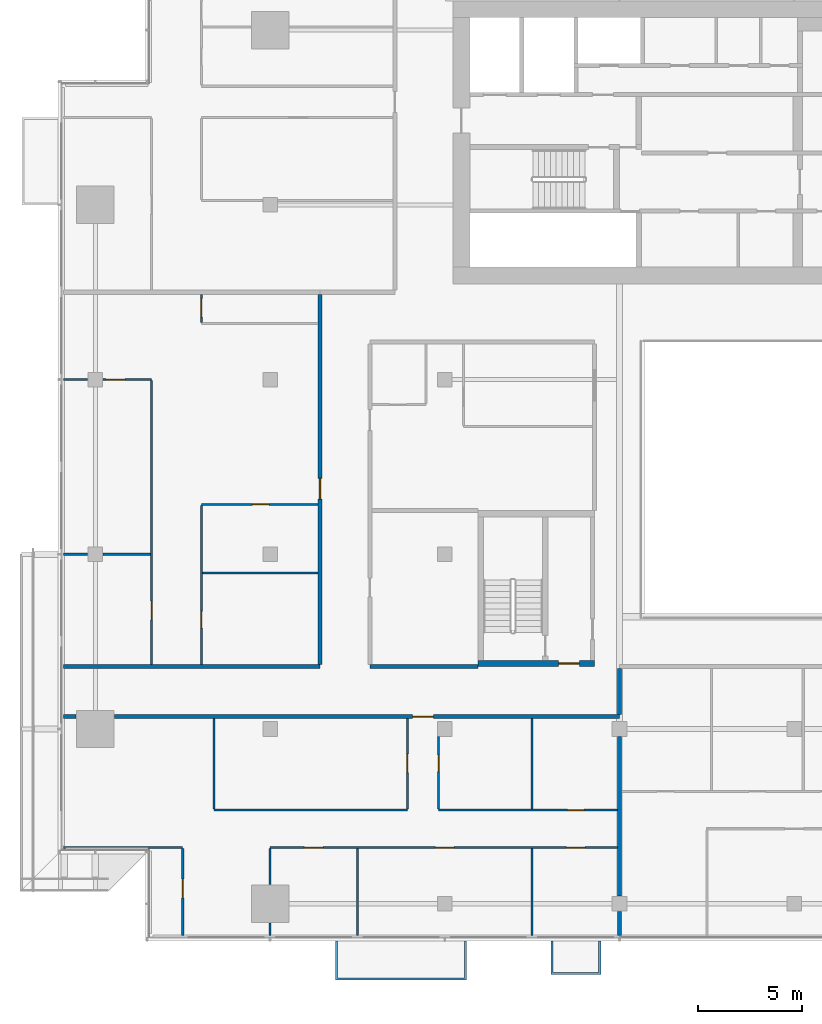
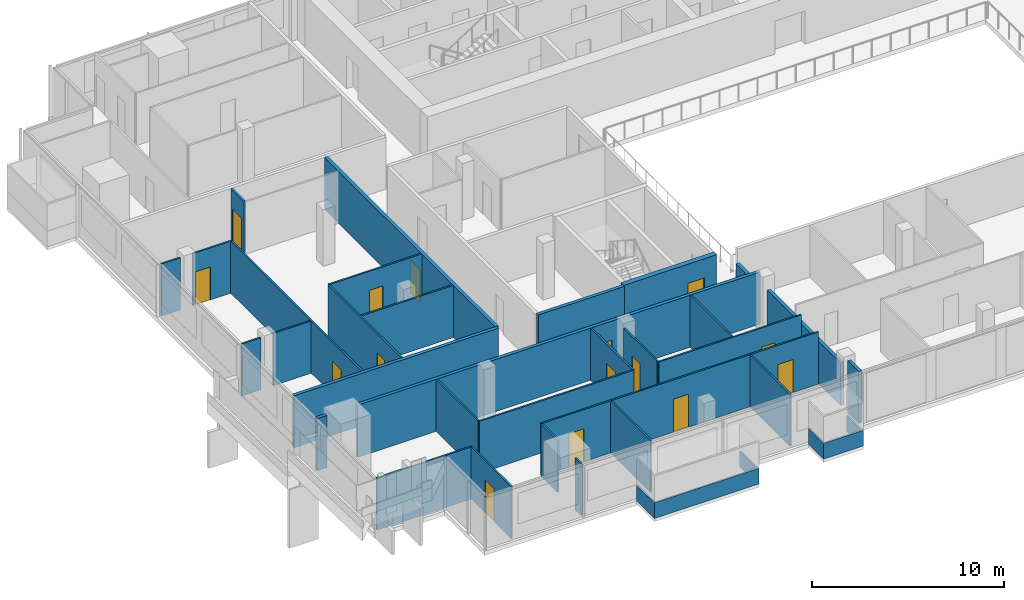
# One storey, part 18 of 30: 33 walls, 15 doors, 15 openings.
"""IFC4 building model written with IfcOpenShell, lengths in metres."""

from ifc_helpers import new_model, si_unit, direction, frame, frame_2d, origin, place, context, subcontext, project, spatial, polyline, rectangle, outline, extrude, material, layer, layer_set, type_object, element, fill, save


model = new_model("IFC4")

# Units and contexts
model_context = context("Model", 3, precision=1e-05, world=origin(), true_north=direction((0.0, 1.0)))
body_context = subcontext(model_context, "Body", "Model", "MODEL_VIEW")
ifc_project = project(units=[si_unit("LENGTHUNIT", "METRE"), si_unit("AREAUNIT", "SQUARE_METRE"), si_unit("VOLUMEUNIT", "CUBIC_METRE"), si_unit("PLANEANGLEUNIT", "RADIAN"), si_unit("MASSUNIT", "GRAM", prefix="KILO")], contexts=[model_context])

# Site, building, storey
site_placement = place(None, origin())
site = spatial("IfcSite", under=ifc_project, at=site_placement, CompositionType="ELEMENT")
building_placement = place(site_placement, origin())
building = spatial("IfcBuilding", under=site, at=building_placement, Name="Saffron Gate Tower", CompositionType="ELEMENT")
storey_placement = place(building_placement, frame((0.0, 0.0, 165.449951171875)))
storey = spatial("IfcBuildingStorey", under=building, at=storey_placement, Name="L40", CompositionType="ELEMENT", Elevation=165.449951171875)

# Wall, opening, door
ifc_material_1 = material(Name="Concrete C60", Category="concrete")
ifc_layer_1 = layer(ifc_material_1, 0.300048828125)
ifc_layer_set_1 = layer_set([ifc_layer_1], Name="CW17 RC core wall 300 C60")
wall_type_1 = type_object("IfcWallType", Name="CW17 RC core wall 300 C60", PredefinedType="SOLIDWALL", material=ifc_layer_set_1)
wall_1_placement = place(storey_placement, frame((68.199951171875, 43.35009765625, 0.0), z_axis=(0.0, 0.0, 1.0), x_axis=(1.0, 0.0, 0.0)))
wall_1 = element("IfcWall", 1, at=wall_1_placement, inside=storey, type_object=wall_type_1, Name="Wall CW17-L40-D-1", PredefinedType="SOLIDWALL", context=body_context, shape_type="SweptSolid", body=[
    extrude(rectangle(XDim=5.60009765625, YDim=0.300048828125, at=frame_2d((2.800048828125, 0.0))), origin(), (0.0, 0.0, 1.0), 3.320068359375),
])
opening_1_placement = place(wall_1_placement, frame((3.875, 0.0, 0.0)))
opening_1 = element("IfcOpeningElement", 2, at=opening_1_placement, cuts=wall_1, Name="Opening CR-18", PredefinedType="OPENING", context=body_context, shape_type="SweptSolid", body=[
    extrude(rectangle(XDim=1.0, YDim=2.10009765625, at=frame_2d((0.5, 1.050048828125))), frame((0.0, 0.16015625, 0.0), z_axis=(0.0, -1.0, 0.0), x_axis=(1.0, 0.0, 0.0)), (0.0, 0.0, 1.0), 0.320068359375),
])
ifc_material_2 = material(Name="Steel fire door set", Category="steel")
door_type_1 = type_object("IfcDoorType", Name="CD4 Lobby door 1000x2100 EI 120", OperationType="NOTDEFINED", PredefinedType="DOOR", material=ifc_material_2)
door_1_placement = place(opening_1_placement, origin())
door_1 = element("IfcDoor", 3, at=door_1_placement, inside=storey, type_object=door_type_1, Name="DOOR CR-18", OperationType="SINGLE_SWING_RIGHT", OverallHeight=2.10009765625, OverallWidth=1.0, PredefinedType="DOOR", context=body_context, shape_type="SweptSolid", body=[
    extrude(rectangle(XDim=1.0, YDim=2.10009765625, at=frame_2d((0.5, 1.050048828125))), frame((0.0, 0.02490234375, 0.0), z_axis=(0.0, -1.0, 0.0), x_axis=(1.0, 0.0, 0.0)), (0.0, 0.0, 1.0), 0.050048828125),
])
fill(opening_1, door_1)

# Wall
ifc_material_3 = material(Name="Plasterboard on steel studs", Category="steel")
ifc_layer_2 = layer(ifc_material_3, 0.10009765625)
ifc_layer_set_2 = layer_set([ifc_layer_2], Name="PW1 Partition 100")
wall_type_2 = type_object("IfcWallType", Name="PW1 Partition 100", PredefinedType="PARTITIONING", material=ifc_layer_set_2)
wall_2_placement = place(storey_placement, frame((48.280029296875, 34.5, 0.0), z_axis=(0.0, 0.0, 1.0), x_axis=(1.0, 0.0, 0.0)))
element("IfcWall", 4, at=wall_2_placement, inside=storey, type_object=wall_type_2, Name="Partition C2-1", PredefinedType="PARTITIONING", context=body_context, shape_type="SweptSolid", body=[
    extrude(rectangle(XDim=5.719970703125, YDim=0.10009765625, at=frame_2d((2.85986328125, 0.0))), origin(), (0.0, 0.0, 1.0), 3.320068359375),
])

# Wall, openings, doors
wall_3_placement = place(storey_placement, frame((74.89990234375, 34.5, 0.0), z_axis=(0.0, 0.0, 1.0), x_axis=(-1.0, 0.0, 0.0)))
wall_3 = element("IfcWall", 5, at=wall_3_placement, inside=storey, type_object=wall_type_2, Name="Partition C2-2", PredefinedType="PARTITIONING", context=body_context, shape_type="SweptSolid", body=[
    extrude(rectangle(XDim=16.699951171875, YDim=0.10009765625, at=frame_2d((8.35009765625, 0.0))), origin(), (0.0, 0.0, 1.0), 3.320068359375),
])
opening_2_placement = place(wall_3_placement, frame((1.550048828125, 0.0, 0.0)))
opening_2 = element("IfcOpeningElement", 6, at=opening_2_placement, cuts=wall_3, Name="Opening C2-13", PredefinedType="OPENING", context=body_context, shape_type="SweptSolid", body=[
    extrude(rectangle(XDim=0.89990234375, YDim=2.10009765625, at=frame_2d((0.449951171875, 1.050048828125))), frame((0.0, 0.06005859375, 0.0), z_axis=(0.0, -1.0, 0.0), x_axis=(1.0, 0.0, 0.0)), (0.0, 0.0, 1.0), 0.1201171875),
])
opening_3_placement = place(wall_3_placement, frame((7.85009765625, 0.0, 0.0)))
opening_3 = element("IfcOpeningElement", 7, at=opening_3_placement, cuts=wall_3, Name="Opening C2-12", PredefinedType="OPENING", context=body_context, shape_type="SweptSolid", body=[
    extrude(rectangle(XDim=0.89990234375, YDim=2.10009765625, at=frame_2d((0.449951171875, 1.050048828125))), frame((0.0, 0.06005859375, 0.0), z_axis=(0.0, -1.0, 0.0), x_axis=(1.0, 0.0, 0.0)), (0.0, 0.0, 1.0), 0.1201171875),
])
opening_4_placement = place(wall_3_placement, frame((14.14990234375, 0.0, 0.0)))
opening_4 = element("IfcOpeningElement", 8, at=opening_4_placement, cuts=wall_3, Name="Opening C2-11", PredefinedType="OPENING", context=body_context, shape_type="SweptSolid", body=[
    extrude(rectangle(XDim=0.89990234375, YDim=2.10009765625, at=frame_2d((0.449951171875, 1.050048828125))), frame((0.0, 0.06005859375, 0.0), z_axis=(0.0, -1.0, 0.0), x_axis=(1.0, 0.0, 0.0)), (0.0, 0.0, 1.0), 0.1201171875),
])
ifc_material_4 = material(Name="Timber door set", Category="wood")
door_type_2 = type_object("IfcDoorType", Name="RD1 Room door 900x2100", OperationType="NOTDEFINED", PredefinedType="DOOR", material=ifc_material_4)
door_2_placement = place(opening_2_placement, origin())
door_2 = element("IfcDoor", 9, at=door_2_placement, inside=storey, type_object=door_type_2, Name="Door C2-13", OperationType="SINGLE_SWING_LEFT", OverallHeight=2.10009765625, OverallWidth=0.89990234375, PredefinedType="DOOR", context=body_context, shape_type="SweptSolid", body=[
    extrude(rectangle(XDim=0.89990234375, YDim=2.10009765625, at=frame_2d((0.449951171875, 1.050048828125))), frame((0.0, 0.02490234375, 0.0), z_axis=(0.0, -1.0, 0.0), x_axis=(1.0, 0.0, 0.0)), (0.0, 0.0, 1.0), 0.050048828125),
])
fill(opening_2, door_2)
door_3_placement = place(opening_3_placement, origin())
door_3 = element("IfcDoor", 10, at=door_3_placement, inside=storey, type_object=door_type_2, Name="Door C2-12", OperationType="SINGLE_SWING_RIGHT", OverallHeight=2.10009765625, OverallWidth=0.89990234375, PredefinedType="DOOR", context=body_context, shape_type="SweptSolid", body=[
    extrude(rectangle(XDim=0.89990234375, YDim=2.10009765625, at=frame_2d((0.449951171875, 1.050048828125))), frame((0.0, 0.02490234375, 0.0), z_axis=(0.0, -1.0, 0.0), x_axis=(1.0, 0.0, 0.0)), (0.0, 0.0, 1.0), 0.050048828125),
])
fill(opening_3, door_3)
door_4_placement = place(opening_4_placement, origin())
door_4 = element("IfcDoor", 11, at=door_4_placement, inside=storey, type_object=door_type_2, Name="Door C2-11", OperationType="SINGLE_SWING_RIGHT", OverallHeight=2.10009765625, OverallWidth=0.89990234375, PredefinedType="DOOR", context=body_context, shape_type="SweptSolid", body=[
    extrude(rectangle(XDim=0.89990234375, YDim=2.10009765625, at=frame_2d((0.449951171875, 1.050048828125))), frame((0.0, 0.02490234375, 0.0), z_axis=(0.0, -1.0, 0.0), x_axis=(1.0, 0.0, 0.0)), (0.0, 0.0, 1.0), 0.050048828125),
])
fill(opening_4, door_4)

# Wall
wall_4_placement = place(storey_placement, frame((55.5, 36.300048828125, 0.0), z_axis=(0.0, 0.0, 1.0), x_axis=(1.0, 0.0, 0.0)))
element("IfcWall", 12, at=wall_4_placement, inside=storey, type_object=wall_type_2, Name="Partition C2-6", PredefinedType="PARTITIONING", context=body_context, shape_type="SweptSolid", body=[
    extrude(rectangle(XDim=9.300048828125, YDim=0.10009765625, at=frame_2d((4.64990234375, 0.0))), origin(), (0.0, 0.0, 1.0), 3.320068359375),
])

# Wall, opening, door
wall_5_placement = place(storey_placement, frame((66.300048828125, 36.300048828125, 0.0), z_axis=(0.0, 0.0, 1.0), x_axis=(1.0, 0.0, 0.0)))
wall_5 = element("IfcWall", 13, at=wall_5_placement, inside=storey, type_object=wall_type_2, Name="Partition C2-7", PredefinedType="PARTITIONING", context=body_context, shape_type="SweptSolid", body=[
    extrude(rectangle(XDim=8.599853515625, YDim=0.10009765625, at=frame_2d((4.2998046875, 0.0))), origin(), (0.0, 0.0, 1.0), 3.320068359375),
])
opening_5_placement = place(wall_5_placement, frame((6.199951171875, 0.0, 0.0)))
opening_5 = element("IfcOpeningElement", 14, at=opening_5_placement, cuts=wall_5, Name="Opening C2-40", PredefinedType="OPENING", context=body_context, shape_type="SweptSolid", body=[
    extrude(rectangle(XDim=0.800048828125, YDim=2.10009765625, at=frame_2d((0.39990234375, 1.050048828125))), frame((0.0, 0.06005859375, 0.0), z_axis=(0.0, -1.0, 0.0), x_axis=(1.0, 0.0, 0.0)), (0.0, 0.0, 1.0), 0.1201171875),
])
door_type_3 = type_object("IfcDoorType", Name="RD2 Bathroom door 800x2100", OperationType="NOTDEFINED", PredefinedType="DOOR", material=ifc_material_4)
door_5_placement = place(opening_5_placement, origin())
door_5 = element("IfcDoor", 15, at=door_5_placement, inside=storey, type_object=door_type_3, Name="Door C2-40", OperationType="SINGLE_SWING_RIGHT", OverallHeight=2.10009765625, OverallWidth=0.800048828125, PredefinedType="DOOR", context=body_context, shape_type="SweptSolid", body=[
    extrude(rectangle(XDim=0.800048828125, YDim=2.10009765625, at=frame_2d((0.39990234375, 1.050048828125))), frame((0.0, 0.02490234375, 0.0), z_axis=(0.0, -1.0, 0.0), x_axis=(1.0, 0.0, 0.0)), (0.0, 0.0, 1.0), 0.050048828125),
])
fill(opening_5, door_5)

# Walls
wall_6_placement = place(storey_placement, frame((54.949951171875, 47.699951171875, 0.0), z_axis=(0.0, 0.0, 1.0), x_axis=(1.0, 0.0, 0.0)))
element("IfcWall", 16, at=wall_6_placement, inside=storey, type_object=wall_type_2, Name="Partition C2-21", PredefinedType="PARTITIONING", context=body_context, shape_type="SweptSolid", body=[
    extrude(rectangle(XDim=5.550048828125, YDim=0.10009765625, at=frame_2d((2.77490234375, 0.0))), origin(), (0.0, 0.0, 1.0), 3.320068359375),
])
wall_7_placement = place(storey_placement, frame((48.280029296875, 48.60009765625, 0.0), z_axis=(0.0, 0.0, 1.0), x_axis=(1.0, 0.0, 0.0)))
element("IfcWall", 17, at=wall_7_placement, inside=storey, type_object=wall_type_2, Name="Partition C2-22", PredefinedType="PARTITIONING", context=body_context, shape_type="SweptSolid", body=[
    extrude(rectangle(XDim=1.14990234375, YDim=0.10009765625, at=frame_2d((0.574951171875, 0.0))), origin(), (0.0, 0.0, 1.0), 3.320068359375),
])
wall_8_placement = place(storey_placement, frame((50.169921875, 48.60009765625, 0.0), z_axis=(0.0, 0.0, 1.0), x_axis=(1.0, 0.0, 0.0)))
element("IfcWall", 18, at=wall_8_placement, inside=storey, type_object=wall_type_2, Name="Partition C2-23", PredefinedType="PARTITIONING", context=body_context, shape_type="SweptSolid", body=[
    extrude(rectangle(XDim=2.280029296875, YDim=0.10009765625, at=frame_2d((1.14013671875, 0.0))), origin(), (0.0, 0.0, 1.0), 3.320068359375),
])

# Wall, opening, door
wall_9_placement = place(storey_placement, frame((60.5, 51.0, 0.0), z_axis=(0.0, 0.0, 1.0), x_axis=(-1.0, 0.0, 0.0)))
wall_9 = element("IfcWall", 19, at=wall_9_placement, inside=storey, type_object=wall_type_2, Name="Partition C2-29", PredefinedType="PARTITIONING", context=body_context, shape_type="SweptSolid", body=[
    extrude(rectangle(XDim=5.60009765625, YDim=0.10009765625, at=frame_2d((2.800048828125, 0.0))), origin(), (0.0, 0.0, 1.0), 3.320068359375),
])
opening_6_placement = place(wall_9_placement, frame((2.35009765625, 0.0, 0.0)))
opening_6 = element("IfcOpeningElement", 20, at=opening_6_placement, cuts=wall_9, Name="Opening C2-46", PredefinedType="OPENING", context=body_context, shape_type="SweptSolid", body=[
    extrude(rectangle(XDim=0.800048828125, YDim=2.10009765625, at=frame_2d((0.39990234375, 1.050048828125))), frame((0.0, 0.06005859375, 0.0), z_axis=(0.0, -1.0, 0.0), x_axis=(1.0, 0.0, 0.0)), (0.0, 0.0, 1.0), 0.1201171875),
])
door_6_placement = place(opening_6_placement, origin())
door_6 = element("IfcDoor", 21, at=door_6_placement, inside=storey, type_object=door_type_3, Name="Door C2-46", OperationType="SINGLE_SWING_LEFT", OverallHeight=2.10009765625, OverallWidth=0.800048828125, PredefinedType="DOOR", context=body_context, shape_type="SweptSolid", body=[
    extrude(rectangle(XDim=0.800048828125, YDim=2.10009765625, at=frame_2d((0.39990234375, 1.050048828125))), frame((0.0, 0.02490234375, 0.0), z_axis=(0.0, -1.0, 0.0), x_axis=(1.0, 0.0, 0.0)), (0.0, 0.0, 1.0), 0.050048828125),
])
fill(opening_6, door_6)

# Wall
wall_10_placement = place(storey_placement, frame((48.280029296875, 57.0, 0.0), z_axis=(0.0, 0.0, 1.0), x_axis=(1.0, 0.0, 0.0)))
element("IfcWall", 22, at=wall_10_placement, inside=storey, type_object=wall_type_2, Name="Partition C2-37", PredefinedType="PARTITIONING", context=body_context, shape_type="SweptSolid", body=[
    extrude(rectangle(XDim=1.14990234375, YDim=0.10009765625, at=frame_2d((0.574951171875, 0.0))), origin(), (0.0, 0.0, 1.0), 3.320068359375),
])

# Wall, opening, door
wall_11_placement = place(storey_placement, frame((52.5, 57.0, 0.0), z_axis=(0.0, 0.0, 1.0), x_axis=(-1.0, 0.0, 0.0)))
wall_11 = element("IfcWall", 23, at=wall_11_placement, inside=storey, type_object=wall_type_2, Name="Partition C2-38", PredefinedType="PARTITIONING", context=body_context, shape_type="SweptSolid", body=[
    extrude(rectangle(XDim=2.330078125, YDim=0.10009765625, at=frame_2d((1.1650390625, 0.0))), origin(), (0.0, 0.0, 1.0), 3.320068359375),
])
opening_7_placement = place(wall_11_placement, frame((1.280029296875, 0.0, 0.0)))
opening_7 = element("IfcOpeningElement", 24, at=opening_7_placement, cuts=wall_11, Name="Opening C2-26", PredefinedType="OPENING", context=body_context, shape_type="SweptSolid", body=[
    extrude(rectangle(XDim=0.89990234375, YDim=2.10009765625, at=frame_2d((0.449951171875, 1.050048828125))), frame((0.0, 0.06005859375, 0.0), z_axis=(0.0, -1.0, 0.0), x_axis=(1.0, 0.0, 0.0)), (0.0, 0.0, 1.0), 0.1201171875),
])
door_7_placement = place(opening_7_placement, origin())
door_7 = element("IfcDoor", 25, at=door_7_placement, inside=storey, type_object=door_type_2, Name="Door C2-26", OperationType="SINGLE_SWING_RIGHT", OverallHeight=2.10009765625, OverallWidth=0.89990234375, PredefinedType="DOOR", context=body_context, shape_type="SweptSolid", body=[
    extrude(rectangle(XDim=0.89990234375, YDim=2.10009765625, at=frame_2d((0.449951171875, 1.050048828125))), frame((0.0, 0.02490234375, 0.0), z_axis=(0.0, -1.0, 0.0), x_axis=(1.0, 0.0, 0.0)), (0.0, 0.0, 1.0), 0.050048828125),
])
fill(opening_7, door_7)

wall_12_placement = place(storey_placement, frame((52.5, 43.300048828125, 0.0), z_axis=(0.0, 0.0, 1.0), x_axis=(0.0, 1.0, 0.0)))
wall_12 = element("IfcWall", 26, at=wall_12_placement, inside=storey, type_object=wall_type_2, Name="Partition C2-62", PredefinedType="PARTITIONING", context=body_context, shape_type="SweptSolid", body=[
    extrude(rectangle(XDim=13.64990234375, YDim=0.10009765625, at=frame_2d((6.824951171875, 0.0))), origin(), (0.0, 0.0, 1.0), 3.320068359375),
])
opening_8_placement = place(wall_12_placement, frame((2.14990234375, 0.0, 0.0)))
opening_8 = element("IfcOpeningElement", 27, at=opening_8_placement, cuts=wall_12, Name="Opening C2-25", PredefinedType="OPENING", context=body_context, shape_type="SweptSolid", body=[
    extrude(rectangle(XDim=0.89990234375, YDim=2.10009765625, at=frame_2d((0.449951171875, 1.050048828125))), frame((0.0, 0.06005859375, 0.0), z_axis=(0.0, -1.0, 0.0), x_axis=(1.0, 0.0, 0.0)), (0.0, 0.0, 1.0), 0.1201171875),
])
door_8_placement = place(opening_8_placement, origin())
door_8 = element("IfcDoor", 28, at=door_8_placement, inside=storey, type_object=door_type_2, Name="Door C2-25", OperationType="SINGLE_SWING_LEFT", OverallHeight=2.10009765625, OverallWidth=0.89990234375, PredefinedType="DOOR", context=body_context, shape_type="SweptSolid", body=[
    extrude(rectangle(XDim=0.89990234375, YDim=2.10009765625, at=frame_2d((0.449951171875, 1.050048828125))), frame((0.0, 0.02490234375, 0.0), z_axis=(0.0, -1.0, 0.0), x_axis=(1.0, 0.0, 0.0)), (0.0, 0.0, 1.0), 0.050048828125),
])
fill(opening_8, door_8)

wall_13_placement = place(storey_placement, frame((54.0, 30.280029296875, 0.0), z_axis=(0.0, 0.0, 1.0), x_axis=(0.0, 1.0, 0.0)))
wall_13 = element("IfcWall", 29, at=wall_13_placement, inside=storey, type_object=wall_type_2, Name="Partition C2-64", PredefinedType="PARTITIONING", context=body_context, shape_type="SweptSolid", body=[
    extrude(rectangle(XDim=4.169921875, YDim=0.10009765625, at=frame_2d((2.0849609375, 0.0))), origin(), (0.0, 0.0, 1.0), 3.320068359375),
])
opening_9_placement = place(wall_13_placement, frame((1.802734375, 0.0, 0.0)))
opening_9 = element("IfcOpeningElement", 30, at=opening_9_placement, cuts=wall_13, Name="Opening C2-10", PredefinedType="OPENING", context=body_context, shape_type="SweptSolid", body=[
    extrude(rectangle(XDim=0.89990234375, YDim=2.10009765625, at=frame_2d((0.449951171875, 1.050048828125))), frame((0.0, 0.06005859375, 0.0), z_axis=(0.0, -1.0, 0.0), x_axis=(1.0, 0.0, 0.0)), (0.0, 0.0, 1.0), 0.1201171875),
])
door_9_placement = place(opening_9_placement, origin())
door_9 = element("IfcDoor", 31, at=door_9_placement, inside=storey, type_object=door_type_2, Name="Door C2-10", OperationType="SINGLE_SWING_RIGHT", OverallHeight=2.10009765625, OverallWidth=0.89990234375, PredefinedType="DOOR", context=body_context, shape_type="SweptSolid", body=[
    extrude(rectangle(XDim=0.89990234375, YDim=2.10009765625, at=frame_2d((0.449951171875, 1.050048828125))), frame((0.0, 0.02490234375, 0.0), z_axis=(0.0, -1.0, 0.0), x_axis=(1.0, 0.0, 0.0)), (0.0, 0.0, 1.0), 0.050048828125),
])
fill(opening_9, door_9)

wall_14_placement = place(storey_placement, frame((54.89990234375, 50.949951171875, 0.0), z_axis=(0.0, 0.0, 1.0), x_axis=(0.0, -1.0, 0.0)))
wall_14 = element("IfcWall", 32, at=wall_14_placement, inside=storey, type_object=wall_type_2, Name="Partition C2-65", PredefinedType="PARTITIONING", context=body_context, shape_type="SweptSolid", body=[
    extrude(rectangle(XDim=7.64990234375, YDim=0.10009765625, at=frame_2d((3.824951171875, 0.0))), origin(), (0.0, 0.0, 1.0), 3.320068359375),
])
opening_10_placement = place(wall_14_placement, frame((5.10009765625, 0.0, 0.0)))
opening_10 = element("IfcOpeningElement", 33, at=opening_10_placement, cuts=wall_14, Name="Opening C2-45", PredefinedType="OPENING", context=body_context, shape_type="SweptSolid", body=[
    extrude(rectangle(XDim=0.800048828125, YDim=2.10009765625, at=frame_2d((0.39990234375, 1.050048828125))), frame((0.0, 0.06005859375, 0.0), z_axis=(0.0, -1.0, 0.0), x_axis=(1.0, 0.0, 0.0)), (0.0, 0.0, 1.0), 0.1201171875),
])
door_10_placement = place(opening_10_placement, origin())
door_10 = element("IfcDoor", 34, at=door_10_placement, inside=storey, type_object=door_type_3, Name="Door C2-45", OperationType="SINGLE_SWING_RIGHT", OverallHeight=2.10009765625, OverallWidth=0.800048828125, PredefinedType="DOOR", context=body_context, shape_type="SweptSolid", body=[
    extrude(rectangle(XDim=0.800048828125, YDim=2.10009765625, at=frame_2d((0.39990234375, 1.050048828125))), frame((0.0, 0.02490234375, 0.0), z_axis=(0.0, -1.0, 0.0), x_axis=(1.0, 0.0, 0.0)), (0.0, 0.0, 1.0), 0.050048828125),
])
fill(opening_10, door_10)

wall_15_placement = place(storey_placement, frame((54.89990234375, 61.10009765625, 0.0), z_axis=(0.0, 0.0, 1.0), x_axis=(0.0, -1.0, 0.0)))
wall_15 = element("IfcWall", 35, at=wall_15_placement, inside=storey, type_object=wall_type_2, Name="Partition C2-66", PredefinedType="PARTITIONING", context=body_context, shape_type="SweptSolid", body=[
    extrude(rectangle(XDim=1.357177734375, YDim=0.10009765625, at=frame_2d((0.6787109375, 0.0))), origin(), (0.0, 0.0, 1.0), 3.320068359375),
])
opening_11_placement = place(wall_15_placement, frame((0.20361328125, 0.0, 0.0)))
opening_11 = element("IfcOpeningElement", 36, at=opening_11_placement, cuts=wall_15, Name="Opening C2-27", PredefinedType="OPENING", context=body_context, shape_type="SweptSolid", body=[
    extrude(rectangle(XDim=0.89990234375, YDim=2.10009765625, at=frame_2d((0.449951171875, 1.050048828125))), frame((0.0, 0.06005859375, 0.0), z_axis=(0.0, -1.0, 0.0), x_axis=(1.0, 0.0, 0.0)), (0.0, 0.0, 1.0), 0.1201171875),
])
door_11_placement = place(opening_11_placement, origin())
door_11 = element("IfcDoor", 37, at=door_11_placement, inside=storey, type_object=door_type_2, Name="Door C2-27", OperationType="SINGLE_SWING_LEFT", OverallHeight=2.10009765625, OverallWidth=0.89990234375, PredefinedType="DOOR", context=body_context, shape_type="SweptSolid", body=[
    extrude(rectangle(XDim=0.89990234375, YDim=2.10009765625, at=frame_2d((0.449951171875, 1.050048828125))), frame((0.0, 0.02490234375, 0.0), z_axis=(0.0, -1.0, 0.0), x_axis=(1.0, 0.0, 0.0)), (0.0, 0.0, 1.0), 0.050048828125),
])
fill(opening_11, door_11)

# Walls
wall_16_placement = place(storey_placement, frame((55.5, 40.699951171875, 0.0), z_axis=(0.0, 0.0, 1.0), x_axis=(0.0, -1.0, 0.0)))
element("IfcWall", 38, at=wall_16_placement, inside=storey, type_object=wall_type_2, Name="Partition C2-69", PredefinedType="PARTITIONING", context=body_context, shape_type="SweptSolid", body=[
    extrude(rectangle(XDim=4.349853515625, YDim=0.10009765625, at=frame_2d((2.1748046875, 0.0))), origin(), (0.0, 0.0, 1.0), 3.320068359375),
])
wall_17_placement = place(storey_placement, frame((58.199951171875, 30.8798828125, 0.0), z_axis=(0.0, 0.0, 1.0), x_axis=(0.0, -1.0, 0.0)))
element("IfcWall", 39, at=wall_17_placement, inside=storey, type_object=wall_type_2, Name="Partition C2-70", PredefinedType="PARTITIONING", context=body_context, shape_type="SweptSolid", body=[
    extrude(rectangle(XDim=0.599853515625, YDim=0.10009765625, at=frame_2d((0.2998046875, 0.0))), origin(), (0.0, 0.0, 1.0), 3.320068359375),
])
wall_18_placement = place(storey_placement, frame((58.199951171875, 34.449951171875, 0.0), z_axis=(0.0, 0.0, 1.0), x_axis=(0.0, -1.0, 0.0)))
element("IfcWall", 40, at=wall_18_placement, inside=storey, type_object=wall_type_2, Name="Partition C2-71", PredefinedType="PARTITIONING", context=body_context, shape_type="SweptSolid", body=[
    extrude(rectangle(XDim=1.72998046875, YDim=0.10009765625, at=frame_2d((0.864990234375, 0.0))), origin(), (0.0, 0.0, 1.0), 3.320068359375),
])
wall_19_placement = place(storey_placement, frame((62.39990234375, 34.449951171875, 0.0), z_axis=(0.0, 0.0, 1.0), x_axis=(0.0, -1.0, 0.0)))
element("IfcWall", 41, at=wall_19_placement, inside=storey, type_object=wall_type_2, Name="Partition C2-73", PredefinedType="PARTITIONING", context=body_context, shape_type="SweptSolid", body=[
    extrude(rectangle(XDim=4.169921875, YDim=0.10009765625, at=frame_2d((2.0849609375, 0.0))), origin(), (0.0, 0.0, 1.0), 3.320068359375),
])

# Wall, opening, door
wall_20_placement = place(storey_placement, frame((64.800048828125, 36.35009765625, 0.0), z_axis=(0.0, 0.0, 1.0), x_axis=(0.0, 1.0, 0.0)))
wall_20 = element("IfcWall", 42, at=wall_20_placement, inside=storey, type_object=wall_type_2, Name="Partition C2-76", PredefinedType="PARTITIONING", context=body_context, shape_type="SweptSolid", body=[
    extrude(rectangle(XDim=4.349853515625, YDim=0.10009765625, at=frame_2d((2.1748046875, 0.0))), origin(), (0.0, 0.0, 1.0), 3.320068359375),
])
opening_12_placement = place(wall_20_placement, frame((1.75, 0.0, 0.0)))
opening_12 = element("IfcOpeningElement", 43, at=opening_12_placement, cuts=wall_20, Name="Opening C2-14", PredefinedType="OPENING", context=body_context, shape_type="SweptSolid", body=[
    extrude(rectangle(XDim=0.89990234375, YDim=2.10009765625, at=frame_2d((0.449951171875, 1.050048828125))), frame((0.0, 0.06005859375, 0.0), z_axis=(0.0, -1.0, 0.0), x_axis=(1.0, 0.0, 0.0)), (0.0, 0.0, 1.0), 0.1201171875),
])
door_12_placement = place(opening_12_placement, origin())
door_12 = element("IfcDoor", 44, at=door_12_placement, inside=storey, type_object=door_type_2, Name="Door C2-14", OperationType="SINGLE_SWING_RIGHT", OverallHeight=2.10009765625, OverallWidth=0.89990234375, PredefinedType="DOOR", context=body_context, shape_type="SweptSolid", body=[
    extrude(rectangle(XDim=0.89990234375, YDim=2.10009765625, at=frame_2d((0.449951171875, 1.050048828125))), frame((0.0, 0.02490234375, 0.0), z_axis=(0.0, -1.0, 0.0), x_axis=(1.0, 0.0, 0.0)), (0.0, 0.0, 1.0), 0.050048828125),
])
fill(opening_12, door_12)

wall_21_placement = place(storey_placement, frame((66.300048828125, 39.830078125, 0.0), z_axis=(0.0, 0.0, 1.0), x_axis=(0.0, -1.0, 0.0)))
wall_21 = element("IfcWall", 45, at=wall_21_placement, inside=storey, type_object=wall_type_2, Name="Partition C2-78", PredefinedType="PARTITIONING", context=body_context, shape_type="SweptSolid", body=[
    extrude(rectangle(XDim=3.47998046875, YDim=0.10009765625, at=frame_2d((1.739990234375, 0.0))), origin(), (0.0, 0.0, 1.0), 3.320068359375),
])
opening_13_placement = place(wall_21_placement, frame((0.8798828125, 0.0, 0.0)))
opening_13 = element("IfcOpeningElement", 46, at=opening_13_placement, cuts=wall_21, Name="Opening C2-39", PredefinedType="OPENING", context=body_context, shape_type="SweptSolid", body=[
    extrude(rectangle(XDim=0.800048828125, YDim=2.10009765625, at=frame_2d((0.39990234375, 1.050048828125))), frame((0.0, 0.06005859375, 0.0), z_axis=(0.0, -1.0, 0.0), x_axis=(1.0, 0.0, 0.0)), (0.0, 0.0, 1.0), 0.1201171875),
])
door_13_placement = place(opening_13_placement, origin())
door_13 = element("IfcDoor", 47, at=door_13_placement, inside=storey, type_object=door_type_3, Name="Door C2-39", OperationType="SINGLE_SWING_LEFT", OverallHeight=2.10009765625, OverallWidth=0.800048828125, PredefinedType="DOOR", context=body_context, shape_type="SweptSolid", body=[
    extrude(rectangle(XDim=0.800048828125, YDim=2.10009765625, at=frame_2d((0.39990234375, 1.050048828125))), frame((0.0, 0.02490234375, 0.0), z_axis=(0.0, -1.0, 0.0), x_axis=(1.0, 0.0, 0.0)), (0.0, 0.0, 1.0), 0.050048828125),
])
fill(opening_13, door_13)

# Walls
wall_22_placement = place(storey_placement, frame((70.800048828125, 34.449951171875, 0.0), z_axis=(0.0, 0.0, 1.0), x_axis=(0.0, -1.0, 0.0)))
element("IfcWall", 48, at=wall_22_placement, inside=storey, type_object=wall_type_2, Name="Partition C2-80", PredefinedType="PARTITIONING", context=body_context, shape_type="SweptSolid", body=[
    extrude(rectangle(XDim=4.169921875, YDim=0.10009765625, at=frame_2d((2.0849609375, 0.0))), origin(), (0.0, 0.0, 1.0), 3.320068359375),
])
wall_23_placement = place(storey_placement, frame((70.800048828125, 40.699951171875, 0.0), z_axis=(0.0, 0.0, 1.0), x_axis=(0.0, -1.0, 0.0)))
element("IfcWall", 49, at=wall_23_placement, inside=storey, type_object=wall_type_2, Name="Partition C2-81", PredefinedType="PARTITIONING", context=body_context, shape_type="SweptSolid", body=[
    extrude(rectangle(XDim=4.349853515625, YDim=0.10009765625, at=frame_2d((2.1748046875, 0.0))), origin(), (0.0, 0.0, 1.0), 3.320068359375),
])
ifc_material_5 = material(Name="Clay brick masonry, rendered", Category="masonry")
ifc_layer_3 = layer(ifc_material_5, 0.199951171875)
ifc_layer_set_3 = layer_set([ifc_layer_3], Name="PW2 Demising wall 200")
wall_type_3 = type_object("IfcWallType", Name="PW2 Demising wall 200", PredefinedType="PARTITIONING", material=ifc_layer_set_3)
wall_24_placement = place(storey_placement, frame((75.0, 31.429931640625, 0.0), z_axis=(0.0, 0.0, 1.0), x_axis=(0.0, -1.0, 0.0)))
element("IfcWall", 50, at=wall_24_placement, inside=storey, type_object=wall_type_3, Name="Wall C2-84", PredefinedType="PARTITIONING", context=body_context, shape_type="SweptSolid", body=[
    extrude(rectangle(XDim=1.14990234375, YDim=0.199951171875, at=frame_2d((0.574951171875, 0.0))), origin(), (0.0, 0.0, 1.0), 3.320068359375),
])
wall_25_placement = place(storey_placement, frame((75.0, 39.830078125, 0.0), z_axis=(0.0, 0.0, 1.0), x_axis=(0.0, -1.0, 0.0)))
element("IfcWall", 51, at=wall_25_placement, inside=storey, type_object=wall_type_3, Name="Wall C2-85", PredefinedType="PARTITIONING", context=body_context, shape_type="SweptSolid", body=[
    extrude(rectangle(XDim=7.66015625, YDim=0.199951171875, at=frame_2d((3.830078125, 0.0))), origin(), (0.0, 0.0, 1.0), 2.719970703125),
])
ifc_layer_4 = layer(ifc_material_5, 0.199951171875)
ifc_layer_set_4 = layer_set([ifc_layer_4], Name="PW3 Corridor wall 200")
wall_type_4 = type_object("IfcWallType", Name="PW3 Corridor wall 200", PredefinedType="PARTITIONING", material=ifc_layer_set_4)
wall_26_placement = place(storey_placement, frame((48.280029296875, 40.800048828125, 0.0), z_axis=(0.0, 0.0, 1.0), x_axis=(1.0, 0.0, 0.0)))
element("IfcWall", 52, at=wall_26_placement, inside=storey, type_object=wall_type_4, Name="Wall C2-12", PredefinedType="PARTITIONING", context=body_context, shape_type="SweptSolid", body=[
    extrude(rectangle(XDim=0.599853515625, YDim=0.199951171875, at=frame_2d((0.2998046875, 0.0))), origin(), (0.0, 0.0, 1.0), 3.320068359375),
])

# Wall, opening, door
wall_27_placement = place(storey_placement, frame((75.0, 40.800048828125, 0.0), z_axis=(0.0, 0.0, 1.0), x_axis=(-1.0, 0.0, 0.0)))
wall_27 = element("IfcWall", 53, at=wall_27_placement, inside=storey, type_object=wall_type_4, Name="Wall C2-13", PredefinedType="PARTITIONING", context=body_context, shape_type="SweptSolid", body=[
    extrude(rectangle(XDim=24.280029296875, YDim=0.199951171875, at=frame_2d((12.14013671875, 0.0))), origin(), (0.0, 0.0, 1.0), 3.320068359375),
])
opening_14_placement = place(wall_27_placement, frame((8.949951171875, 0.0, 0.0)))
opening_14 = element("IfcOpeningElement", 54, at=opening_14_placement, cuts=wall_27, Name="Opening C2-1", PredefinedType="OPENING", context=body_context, shape_type="SweptSolid", body=[
    extrude(rectangle(XDim=1.0, YDim=2.10009765625, at=frame_2d((0.5, 1.050048828125))), frame((0.0, 0.10986328125, 0.0), z_axis=(0.0, -1.0, 0.0), x_axis=(1.0, 0.0, 0.0)), (0.0, 0.0, 1.0), 0.219970703125),
])
ifc_material_6 = material(Name="Timber fire door set", Category="wood")
door_type_4 = type_object("IfcDoorType", Name="FD1 Flat entry door 1000x2100", OperationType="NOTDEFINED", PredefinedType="DOOR", material=ifc_material_6)
door_14_placement = place(opening_14_placement, origin())
door_14 = element("IfcDoor", 55, at=door_14_placement, inside=storey, type_object=door_type_4, Name="Door C2-1", OperationType="SINGLE_SWING_LEFT", OverallHeight=2.10009765625, OverallWidth=1.0, PredefinedType="DOOR", context=body_context, shape_type="SweptSolid", body=[
    extrude(rectangle(XDim=1.0, YDim=2.10009765625, at=frame_2d((0.5, 1.050048828125))), frame((0.0, 0.02490234375, 0.0), z_axis=(0.0, -1.0, 0.0), x_axis=(1.0, 0.0, 0.0)), (0.0, 0.0, 1.0), 0.050048828125),
])
fill(opening_14, door_14)

# Walls
wall_28_placement = place(storey_placement, frame((48.280029296875, 43.199951171875, 0.0), z_axis=(0.0, 0.0, 1.0), x_axis=(1.0, 0.0, 0.0)))
element("IfcWall", 56, at=wall_28_placement, inside=storey, type_object=wall_type_4, Name="Wall C2-16", PredefinedType="PARTITIONING", context=body_context, shape_type="SweptSolid", body=[
    extrude(rectangle(XDim=12.320068359375, YDim=0.199951171875, at=frame_2d((6.16015625, 0.0))), origin(), (0.0, 0.0, 1.0), 3.320068359375),
])
wall_29_placement = place(storey_placement, frame((63.0, 43.199951171875, 0.0), z_axis=(0.0, 0.0, 1.0), x_axis=(1.0, 0.0, 0.0)))
element("IfcWall", 57, at=wall_29_placement, inside=storey, type_object=wall_type_4, Name="Wall C2-17", PredefinedType="PARTITIONING", context=body_context, shape_type="SweptSolid", body=[
    extrude(rectangle(XDim=5.199951171875, YDim=0.199951171875, at=frame_2d((2.60009765625, 0.0))), origin(), (0.0, 0.0, 1.0), 3.320068359375),
])

# Wall, opening, door
wall_30_placement = place(storey_placement, frame((60.60009765625, 43.300048828125, 0.0), z_axis=(0.0, 0.0, 1.0), x_axis=(0.0, 1.0, 0.0)))
wall_30 = element("IfcWall", 58, at=wall_30_placement, inside=storey, type_object=wall_type_4, Name="Wall C2-72", PredefinedType="PARTITIONING", context=body_context, shape_type="SweptSolid", body=[
    extrude(rectangle(XDim=17.800048828125, YDim=0.199951171875, at=frame_2d((8.89990234375, 0.0))), origin(), (0.0, 0.0, 1.0), 3.320068359375),
])
opening_15_placement = place(wall_30_placement, frame((7.949951171875, 0.0, 0.0)))
opening_15 = element("IfcOpeningElement", 59, at=opening_15_placement, cuts=wall_30, Name="Opening C2-4", PredefinedType="OPENING", context=body_context, shape_type="SweptSolid", body=[
    extrude(rectangle(XDim=1.0, YDim=2.10009765625, at=frame_2d((0.5, 1.050048828125))), frame((0.0, 0.10986328125, 0.0), z_axis=(0.0, -1.0, 0.0), x_axis=(1.0, 0.0, 0.0)), (0.0, 0.0, 1.0), 0.219970703125),
])
door_15_placement = place(opening_15_placement, origin())
door_15 = element("IfcDoor", 60, at=door_15_placement, inside=storey, type_object=door_type_4, Name="Door C2-4", OperationType="SINGLE_SWING_RIGHT", OverallHeight=2.10009765625, OverallWidth=1.0, PredefinedType="DOOR", context=body_context, shape_type="SweptSolid", body=[
    extrude(rectangle(XDim=1.0, YDim=2.10009765625, at=frame_2d((0.5, 1.050048828125))), frame((0.0, 0.02490234375, 0.0), z_axis=(0.0, -1.0, 0.0), x_axis=(1.0, 0.0, 0.0)), (0.0, 0.0, 1.0), 0.050048828125),
])
fill(opening_15, door_15)

# Walls
wall_31_placement = place(storey_placement, frame((75.0, 43.10009765625, 0.0), z_axis=(0.0, 0.0, 1.0), x_axis=(0.0, -1.0, 0.0)))
element("IfcWall", 61, at=wall_31_placement, inside=storey, type_object=wall_type_4, Name="Wall C2-83", PredefinedType="PARTITIONING", context=body_context, shape_type="SweptSolid", body=[
    extrude(rectangle(XDim=2.2001953125, YDim=0.199951171875, at=frame_2d((1.10009765625, 0.0))), origin(), (0.0, 0.0, 1.0), 2.429931640625),
])
ifc_material_7 = material(Name="Rendered insulated panel, white")
ifc_layer_5 = layer(ifc_material_7, 0.10009765625)
ifc_layer_set_5 = layer_set([ifc_layer_5], Name="WB3 box parapet white")
wall_type_5 = type_object("IfcWallType", Name="WB3 box parapet white", PredefinedType="SOLIDWALL", material=ifc_layer_set_5)
wall_32_placement = place(storey_placement, origin())
element("IfcWall", 62, at=wall_32_placement, inside=storey, type_object=wall_type_5, Name="WINDOW BOX parapet", PredefinedType="SOLIDWALL", context=body_context, shape_type="SweptSolid", body=[
    extrude(outline(polyline([(61.35009765625, 30.0), (61.449951171875, 30.0), (61.449951171875, 28.23291015625), (67.550048828125, 28.23291015625), (67.550048828125, 30.0), (67.64990234375, 30.0), (67.64990234375, 28.133056640625), (61.35009765625, 28.133056640625), (61.35009765625, 30.0)])), origin(), (0.0, 0.0, 1.0), 1.0),
])
wall_33_placement = place(storey_placement, origin())
element("IfcWall", 63, at=wall_33_placement, inside=storey, type_object=wall_type_5, Name="WINDOW BOX parapet", PredefinedType="SOLIDWALL", context=body_context, shape_type="SweptSolid", body=[
    extrude(outline(polyline([(71.699951171875, 30.0), (71.800048828125, 30.0), (71.800048828125, 28.5), (74.0, 28.5), (74.0, 30.0), (74.10009765625, 30.0), (74.10009765625, 28.39990234375), (71.699951171875, 28.39990234375), (71.699951171875, 30.0)])), origin(), (0.0, 0.0, 1.0), 1.0),
])

save(model, "model.ifc")
